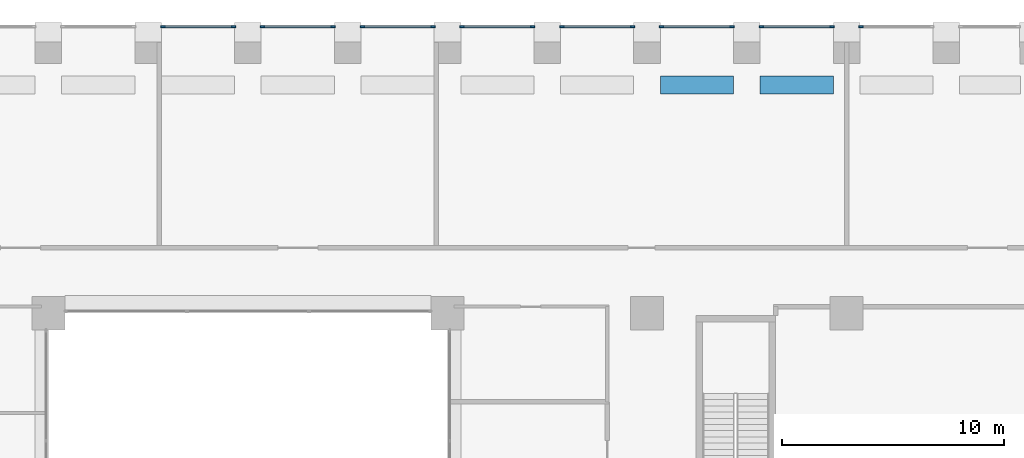
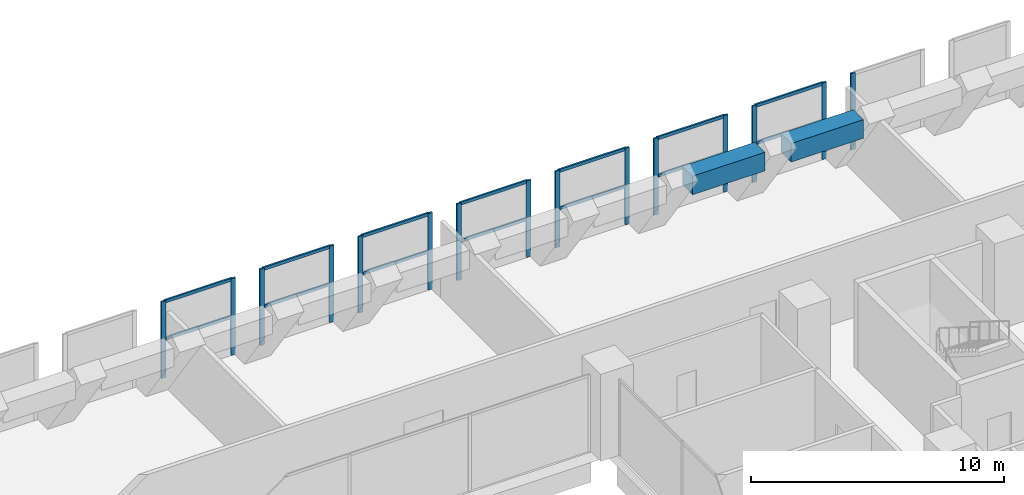
# One storey, part 9 of 20: 29 members, 2 beams, 8 elements without a shape of their own.
"""IFC4 building model written with IfcOpenShell, lengths in metres."""

import ifcopenshell
import ifcopenshell.guid

model = None  # the IFC model being written
_history = None  # IfcOwnerHistory: only IFC2X3 demands one
_inside = {}  # id of a spatial element -> (the spatial element, [elements in it])
_under = {}  # id of a project, library or spatial element -> (it, [spatial elements below it])
_declared = {}  # id of a project -> (the project, [libraries it declares])
_typed = {}  # id of a type object -> (the type object, [elements of that type])
_made_of = {}  # id of a material, layer set ... -> (it, [elements and type objects made of it])


def new_model(schema):
    """Start an empty IFC model of exactly this schema.

    Asked for "IFC4X3", IfcOpenShell would pick the latest addendum, in which some entities
    have other attributes; the version numbers below select the first issue.
    IFC2X3 requires an IfcOwnerHistory on every rooted entity: one is made here for all.
    """
    global model, _history
    if schema == "IFC4X3":
        model = ifcopenshell.file(schema_version=(4, 3, 0, 0))
    else:
        model = ifcopenshell.file(schema=schema)
    _inside.clear()
    _under.clear()
    _declared.clear()
    _typed.clear()
    _made_of.clear()
    _history = None
    if model.schema == "IFC2X3":
        org = make("IfcOrganization", Name="unknown")
        user = make(
            "IfcPersonAndOrganization",
            ThePerson=make("IfcPerson", FamilyName="unknown"),
            TheOrganization=org,
        )
        app = make(
            "IfcApplication",
            ApplicationDeveloper=org,
            Version="unknown",
            ApplicationFullName="unknown",
            ApplicationIdentifier="unknown",
        )
        _history = make(
            "IfcOwnerHistory",
            OwningUser=user,
            OwningApplication=app,
            ChangeAction="ADDED",
            CreationDate=0,
        )
    return model


def make(cls, **values):
    """One entity of the class cls with the attributes given. An attribute that is None is left unset."""
    return model.create_entity(
        cls, **{name: value for name, value in values.items() if value is not None}
    )


def rooted(cls, **values):
    """An entity with a GlobalId (a new one), such as an element, a storey or a relation."""
    return make(cls, GlobalId=ifcopenshell.guid.new(), OwnerHistory=_history, **values)


def si_unit(unit_type, name, prefix=None):
    """IfcSIUnit, for example si_unit("LENGTHUNIT", "METRE", prefix="MILLI")."""
    return make("IfcSIUnit", UnitType=unit_type, Prefix=prefix, Name=name)


def assignment(units):
    """IfcUnitAssignment: the units of a project."""
    return None if units is None else make("IfcUnitAssignment", Units=units)


def point(xyz):
    """IfcCartesianPoint."""
    return None if xyz is None else make("IfcCartesianPoint", Coordinates=xyz)


def direction(xyz):
    """IfcDirection."""
    return None if xyz is None else make("IfcDirection", DirectionRatios=xyz)


def frame(location, z_axis=None, x_axis=None):
    """IfcAxis2Placement3D, a coordinate frame: its origin and axes. An axis left out is left unset."""
    return make(
        "IfcAxis2Placement3D",
        Location=point(location),
        Axis=direction(z_axis),
        RefDirection=direction(x_axis),
    )


def frame_2d(location, x_axis=None):
    """IfcAxis2Placement2D, a coordinate frame in the plane: its origin and x axis."""
    return make(
        "IfcAxis2Placement2D", Location=point(location), RefDirection=direction(x_axis)
    )


def origin():
    """The frame at (0, 0, 0) with its axes left unset."""
    return frame((0.0, 0.0, 0.0))


def origin_2d():
    """The frame at (0, 0) in the plane with its x axis left unset."""
    return frame_2d((0.0, 0.0))


def place(relative_to, where):
    """IfcLocalPlacement: puts the frame where relative to a parent placement (None: the world)."""
    return make(
        "IfcLocalPlacement", PlacementRelTo=relative_to, RelativePlacement=where
    )


def context(
    kind, dimensions, precision=None, world=None, true_north=None, identifier=None
):
    """IfcGeometricRepresentationContext, for example the 3D "Model" context."""
    return make(
        "IfcGeometricRepresentationContext",
        ContextIdentifier=identifier,
        ContextType=kind,
        CoordinateSpaceDimension=dimensions,
        Precision=precision,
        WorldCoordinateSystem=world,
        TrueNorth=true_north,
    )


def subcontext(parent, identifier, kind, view, scale=None):
    """IfcGeometricRepresentationSubContext, for example "Body" below "Model"."""
    return make(
        "IfcGeometricRepresentationSubContext",
        ContextIdentifier=identifier,
        ContextType=kind,
        ParentContext=parent,
        TargetScale=scale,
        TargetView=view,
    )


def project(units=None, contexts=None):
    """IfcProject with its units and contexts."""
    return rooted(
        "IfcProject",
        Name="project",
        RepresentationContexts=contexts,
        UnitsInContext=assignment(units),
    )


def spatial(cls, under=None, at=None, **own):
    """A site, building, storey or space (cls), placed at a placement, below another one or the project."""
    s = rooted(cls, ObjectPlacement=at, **own)
    if under is not None:
        _under.setdefault(under.id(), (under, []))[1].append(s)
    return s


def profile(cls, at=None, kind="AREA", **sizes):
    """A parametric profile (cls). Its sizes go by their IFC names, for example OverallWidth=200.0."""
    return make(cls, ProfileType=kind, Position=at, **sizes)


def rectangle(**sizes):
    """IfcRectangleProfileDef."""
    return profile("IfcRectangleProfileDef", **sizes)


def extrude(swept, where, along, depth):
    """IfcExtrudedAreaSolid: the profile swept, set in the frame where, extruded along a direction by depth."""
    return make(
        "IfcExtrudedAreaSolid",
        SweptArea=swept,
        Position=where,
        ExtrudedDirection=direction(along),
        Depth=depth,
    )


def shape(context_of_items, identifier, shape_type, items):
    """IfcShapeRepresentation: the items that make up one representation, for example the "Body"."""
    return make(
        "IfcShapeRepresentation",
        ContextOfItems=context_of_items,
        RepresentationIdentifier=identifier,
        RepresentationType=shape_type,
        Items=items,
    )


def material(Name=None, Category=None):
    """IfcMaterial."""
    return make("IfcMaterial", Name=Name, Category=Category)


def layer(
    of_material, thickness, ventilated=None, Name=None, Category=None, Priority=None
):
    """IfcMaterialLayer: one layer of a wall or slab, of a material (None: an air gap)."""
    return make(
        "IfcMaterialLayer",
        Material=of_material,
        LayerThickness=thickness,
        IsVentilated=ventilated,
        Name=Name,
        Category=Category,
        Priority=Priority,
    )


def layer_set(layers, Name=None):
    """IfcMaterialLayerSet."""
    return make("IfcMaterialLayerSet", MaterialLayers=layers, LayerSetName=Name)


def material_profile(
    of_material, cross_section, Name=None, Category=None, Priority=None
):
    """IfcMaterialProfile: a cross section and its material."""
    return make(
        "IfcMaterialProfile",
        Name=Name,
        Material=of_material,
        Profile=cross_section,
        Priority=Priority,
        Category=Category,
    )


def profile_set(profiles, Name=None, composite=None):
    """IfcMaterialProfileSet."""
    return make(
        "IfcMaterialProfileSet",
        Name=Name,
        MaterialProfiles=profiles,
        CompositeProfile=composite,
    )


def made_of(thing, what):
    """Note that an element or type object is made of a material, layer set ...; save() writes the relation."""
    if what is not None:
        _made_of.setdefault(what.id(), (what, []))[1].append(thing)
    return thing


def type_object(cls, material=None, **own):
    """A type object (cls), such as IfcWallType, which elements share."""
    return made_of(rooted(cls, **own), material)


def element(
    cls,
    number,
    at=None,
    inside=None,
    cuts=None,
    type_object=None,
    material=None,
    context=None,
    identifier="Body",
    shape_type=None,
    held_by="IfcProductDefinitionShape",
    body=None,
    shapes=None,
    **own,
):
    """One element of the class cls, such as IfcWall. Its Tag is "e" and its number.

    at: its placement. inside: the storey or other place that contains it. cuts: it is an
    opening in that element (IfcRelVoidsElement). A single representation is given by context,
    identifier, shape_type and body (its items); several are given by shapes. held_by: the class
    of the entity that holds the representations. save() writes the other relations.
    """
    e = rooted(cls, Tag="e%d" % number, ObjectPlacement=at, **own)
    if body is not None:
        shapes = [shape(context, identifier, shape_type, body)]
    if shapes is not None:
        e.Representation = make(held_by, Representations=shapes)
    if inside is not None:
        _inside.setdefault(inside.id(), (inside, []))[1].append(e)
    if cuts is not None:
        rooted(
            "IfcRelVoidsElement", RelatingBuildingElement=cuts, RelatedOpeningElement=e
        )
    if type_object is not None:
        _typed.setdefault(type_object.id(), (type_object, []))[1].append(e)
    return made_of(e, material)


def aggregate(whole, parts):
    """IfcRelAggregates: a whole, such as a stair, and the parts it consists of."""
    return rooted("IfcRelAggregates", RelatingObject=whole, RelatedObjects=parts)


def save(model, path):
    """Write the relations noted so far, then the file.

    IfcRelAggregates (storeys below a building ...), IfcRelContainedInSpatialStructure (elements
    in a storey), IfcRelDefinesByType, IfcRelAssociatesMaterial and IfcRelDeclares: one each for
    every whole, place, type object, material and project.
    """
    for whole, parts in _under.values():
        aggregate(whole, parts)
    for where, things in _inside.values():
        rooted(
            "IfcRelContainedInSpatialStructure",
            RelatedElements=things,
            RelatingStructure=where,
        )
    for kind, things in _typed.values():
        rooted("IfcRelDefinesByType", RelatedObjects=things, RelatingType=kind)
    for what, things in _made_of.values():
        rooted("IfcRelAssociatesMaterial", RelatedObjects=things, RelatingMaterial=what)
    for by, libraries in _declared.values():
        rooted("IfcRelDeclares", RelatingContext=by, RelatedDefinitions=libraries)
    model.write(path)


model = new_model("IFC4")

# Units and contexts
model_context = context("Model", 3, precision=1e-05, world=origin(), true_north=direction((0.0, 1.0)))
body_context = subcontext(model_context, "Body", "Model", "MODEL_VIEW")
ifc_project = project(units=[si_unit("LENGTHUNIT", "METRE"), si_unit("AREAUNIT", "SQUARE_METRE"), si_unit("VOLUMEUNIT", "CUBIC_METRE"), si_unit("PLANEANGLEUNIT", "RADIAN"), si_unit("MASSUNIT", "GRAM", prefix="KILO")], contexts=[model_context])

# Site, building, storey
site_placement = place(None, origin())
site = spatial("IfcSite", under=ifc_project, at=site_placement, CompositionType="ELEMENT")
building_placement = place(site_placement, origin())
building = spatial("IfcBuilding", under=site, at=building_placement, Name="Brigalow Station Residences", CompositionType="ELEMENT")
storey_placement = place(building_placement, frame((0.0, 0.0, 73.050048828125)))
storey = spatial("IfcBuildingStorey", under=building, at=storey_placement, Name="L21", CompositionType="ELEMENT", Elevation=73.050048828125)

# Beams
ifc_material_1 = material(Name="Concrete C65", Category="concrete")
ifc_material_profile_1 = material_profile(ifc_material_1, rectangle(XDim=0.800048828125, YDim=0.89990234375, at=origin_2d()), Name="RC800x900")
ifc_profile_set_1 = profile_set([ifc_material_profile_1], Name="Concrete C65")
beam_type = type_object("IfcBeamType", Name="KINK TIE BEAM 800x900 C65", PredefinedType="BEAM", material=ifc_profile_set_1)
for number, where, z_axis, x_axis, name in (
    (1, (62.39990234375, 45.7978515625, 3.25), (-1.0, 0.0, 0.0), (0.0, -1.0, 0.0), "KINK TIE BEAM 22 L21"),
    (2, (57.89990234375, 45.7978515625, 3.25), (-1.0, 0.0, 0.0), (0.0, -1.0, 0.0), "KINK TIE BEAM 23 L21"),
):
    element("IfcBeam", number, at=place(storey_placement, frame(where, z_axis=z_axis, x_axis=x_axis)), inside=storey, type_object=beam_type, Name=name, PredefinedType="BEAM", context=body_context, shape_type="SweptSolid", body=[
        extrude(rectangle(XDim=0.800048828125, YDim=0.89990234375, at=origin_2d()), origin(), (0.0, 0.0, 1.0), 3.2998046875),
    ])

# Curtain wall, member
ifc_material_2 = material(Name="Aluminium", Category="aluminium")
ifc_layer = layer(ifc_material_2, 0.199951171875)
ifc_layer_set = layer_set([ifc_layer], Name="REFUGE FLOOR LOUVRE CURTAIN WALL")
curtain_wall_type = type_object("IfcCurtainWallType", Name="REFUGE FLOOR LOUVRE CURTAIN WALL", PredefinedType="NOTDEFINED", material=ifc_layer_set)
curtain_wall_1_placement = place(storey_placement, origin())
curtain_wall_1 = element("IfcCurtainWall", 3, at=curtain_wall_1_placement, inside=storey, type_object=curtain_wall_type, Name="L21/cw/louvre-W-L21-25-24", PredefinedType="NOTDEFINED")
ifc_material_3 = material(Name="Aluminium", Category="aluminium")
ifc_material_profile_2 = material_profile(ifc_material_3, rectangle(XDim=0.080078125, YDim=0.199951171875, at=origin_2d()), Name="REFUGE FLOOR LOUVRE MULLION 80x200")
ifc_profile_set_2 = profile_set([ifc_material_profile_2], Name="Aluminium")
member_type_1 = type_object("IfcMemberType", Name="REFUGE FLOOR LOUVRE MULLION 80x200", PredefinedType="MULLION", material=ifc_profile_set_2)
member_1_placement = place(storey_placement, frame((63.659912109375, 48.425048828125, 0.0), z_axis=(0.0, 0.0, 1.0), x_axis=(0.0, -1.0, 0.0)))
member_1 = element("IfcMember", 4, at=member_1_placement, type_object=member_type_1, Name="L21/cw/louvre-W-L21-25-24/M01", PredefinedType="MULLION", context=body_context, shape_type="SweptSolid", body=[
    extrude(rectangle(XDim=0.080078125, YDim=0.199951171875, at=origin_2d()), origin(), (0.0, 0.0, 1.0), 3.699951171875),
])
aggregate(curtain_wall_1, [member_1])

# Curtain wall, members
curtain_wall_2_placement = place(storey_placement, origin())
curtain_wall_2 = element("IfcCurtainWall", 5, at=curtain_wall_2_placement, inside=storey, type_object=curtain_wall_type, Name="L21/cw/louvre-W-L21-25-25", PredefinedType="NOTDEFINED")
member_2_placement = place(storey_placement, frame((62.340087890625, 48.425048828125, 0.0), z_axis=(0.0, 0.0, 1.0), x_axis=(0.0, -1.0, 0.0)))
member_2 = element("IfcMember", 6, at=member_2_placement, type_object=member_type_1, Name="L21/cw/louvre-W-L21-25-25/M00", PredefinedType="MULLION", context=body_context, shape_type="SweptSolid", body=[
    extrude(rectangle(XDim=0.080078125, YDim=0.199951171875, at=origin_2d()), origin(), (0.0, 0.0, 1.0), 3.699951171875),
])
member_3_placement = place(storey_placement, frame((59.159912109375, 48.425048828125, 0.0), z_axis=(0.0, 0.0, 1.0), x_axis=(0.0, -1.0, 0.0)))
member_3 = element("IfcMember", 7, at=member_3_placement, type_object=member_type_1, Name="L21/cw/louvre-W-L21-25-25/M01", PredefinedType="MULLION", context=body_context, shape_type="SweptSolid", body=[
    extrude(rectangle(XDim=0.080078125, YDim=0.199951171875, at=origin_2d()), origin(), (0.0, 0.0, 1.0), 3.699951171875),
])

curtain_wall_3_placement = place(storey_placement, origin())
curtain_wall_3 = element("IfcCurtainWall", 8, at=curtain_wall_3_placement, inside=storey, type_object=curtain_wall_type, Name="L21/cw/louvre-W-L21-25-26", PredefinedType="NOTDEFINED")
member_4_placement = place(storey_placement, frame((57.840087890625, 48.425048828125, 0.0), z_axis=(0.0, 0.0, 1.0), x_axis=(0.0, -1.0, 0.0)))
member_4 = element("IfcMember", 9, at=member_4_placement, type_object=member_type_1, Name="L21/cw/louvre-W-L21-25-26/M00", PredefinedType="MULLION", context=body_context, shape_type="SweptSolid", body=[
    extrude(rectangle(XDim=0.080078125, YDim=0.199951171875, at=origin_2d()), origin(), (0.0, 0.0, 1.0), 3.699951171875),
])
member_5_placement = place(storey_placement, frame((54.659912109375, 48.425048828125, 0.0), z_axis=(0.0, 0.0, 1.0), x_axis=(0.0, -1.0, 0.0)))
member_5 = element("IfcMember", 10, at=member_5_placement, type_object=member_type_1, Name="L21/cw/louvre-W-L21-25-26/M01", PredefinedType="MULLION", context=body_context, shape_type="SweptSolid", body=[
    extrude(rectangle(XDim=0.080078125, YDim=0.199951171875, at=origin_2d()), origin(), (0.0, 0.0, 1.0), 3.699951171875),
])

curtain_wall_4_placement = place(storey_placement, origin())
curtain_wall_4 = element("IfcCurtainWall", 11, at=curtain_wall_4_placement, inside=storey, type_object=curtain_wall_type, Name="L21/cw/louvre-W-L21-25-27", PredefinedType="NOTDEFINED")
member_6_placement = place(storey_placement, frame((53.340087890625, 48.425048828125, 0.0), z_axis=(0.0, 0.0, 1.0), x_axis=(0.0, -1.0, 0.0)))
member_6 = element("IfcMember", 12, at=member_6_placement, type_object=member_type_1, Name="L21/cw/louvre-W-L21-25-27/M00", PredefinedType="MULLION", context=body_context, shape_type="SweptSolid", body=[
    extrude(rectangle(XDim=0.080078125, YDim=0.199951171875, at=origin_2d()), origin(), (0.0, 0.0, 1.0), 3.699951171875),
])
member_7_placement = place(storey_placement, frame((50.159912109375, 48.425048828125, 0.0), z_axis=(0.0, 0.0, 1.0), x_axis=(0.0, -1.0, 0.0)))
member_7 = element("IfcMember", 13, at=member_7_placement, type_object=member_type_1, Name="L21/cw/louvre-W-L21-25-27/M01", PredefinedType="MULLION", context=body_context, shape_type="SweptSolid", body=[
    extrude(rectangle(XDim=0.080078125, YDim=0.199951171875, at=origin_2d()), origin(), (0.0, 0.0, 1.0), 3.699951171875),
])

curtain_wall_5_placement = place(storey_placement, origin())
curtain_wall_5 = element("IfcCurtainWall", 14, at=curtain_wall_5_placement, inside=storey, type_object=curtain_wall_type, Name="L21/cw/louvre-W-L21-25-28", PredefinedType="NOTDEFINED")
member_8_placement = place(storey_placement, frame((48.840087890625, 48.425048828125, 0.0), z_axis=(0.0, 0.0, 1.0), x_axis=(0.0, -1.0, 0.0)))
member_8 = element("IfcMember", 15, at=member_8_placement, type_object=member_type_1, Name="L21/cw/louvre-W-L21-25-28/M00", PredefinedType="MULLION", context=body_context, shape_type="SweptSolid", body=[
    extrude(rectangle(XDim=0.080078125, YDim=0.199951171875, at=origin_2d()), origin(), (0.0, 0.0, 1.0), 3.699951171875),
])
member_9_placement = place(storey_placement, frame((45.659912109375, 48.425048828125, 0.0), z_axis=(0.0, 0.0, 1.0), x_axis=(0.0, -1.0, 0.0)))
member_9 = element("IfcMember", 16, at=member_9_placement, type_object=member_type_1, Name="L21/cw/louvre-W-L21-25-28/M01", PredefinedType="MULLION", context=body_context, shape_type="SweptSolid", body=[
    extrude(rectangle(XDim=0.080078125, YDim=0.199951171875, at=origin_2d()), origin(), (0.0, 0.0, 1.0), 3.699951171875),
])

curtain_wall_6_placement = place(storey_placement, origin())
curtain_wall_6 = element("IfcCurtainWall", 17, at=curtain_wall_6_placement, inside=storey, type_object=curtain_wall_type, Name="L21/cw/louvre-W-L21-25-29", PredefinedType="NOTDEFINED")
member_10_placement = place(storey_placement, frame((44.340087890625, 48.425048828125, 0.0), z_axis=(0.0, 0.0, 1.0), x_axis=(0.0, -1.0, 0.0)))
member_10 = element("IfcMember", 18, at=member_10_placement, type_object=member_type_1, Name="L21/cw/louvre-W-L21-25-29/M00", PredefinedType="MULLION", context=body_context, shape_type="SweptSolid", body=[
    extrude(rectangle(XDim=0.080078125, YDim=0.199951171875, at=origin_2d()), origin(), (0.0, 0.0, 1.0), 3.699951171875),
])
member_11_placement = place(storey_placement, frame((41.159912109375, 48.425048828125, 0.0), z_axis=(0.0, 0.0, 1.0), x_axis=(0.0, -1.0, 0.0)))
member_11 = element("IfcMember", 19, at=member_11_placement, type_object=member_type_1, Name="L21/cw/louvre-W-L21-25-29/M01", PredefinedType="MULLION", context=body_context, shape_type="SweptSolid", body=[
    extrude(rectangle(XDim=0.080078125, YDim=0.199951171875, at=origin_2d()), origin(), (0.0, 0.0, 1.0), 3.699951171875),
])

curtain_wall_7_placement = place(storey_placement, origin())
curtain_wall_7 = element("IfcCurtainWall", 20, at=curtain_wall_7_placement, inside=storey, type_object=curtain_wall_type, Name="L21/cw/louvre-W-L21-25-30", PredefinedType="NOTDEFINED")
member_12_placement = place(storey_placement, frame((39.840087890625, 48.425048828125, 0.0), z_axis=(0.0, 0.0, 1.0), x_axis=(0.0, -1.0, 0.0)))
member_12 = element("IfcMember", 21, at=member_12_placement, type_object=member_type_1, Name="L21/cw/louvre-W-L21-25-30/M00", PredefinedType="MULLION", context=body_context, shape_type="SweptSolid", body=[
    extrude(rectangle(XDim=0.080078125, YDim=0.199951171875, at=origin_2d()), origin(), (0.0, 0.0, 1.0), 3.699951171875),
])
member_13_placement = place(storey_placement, frame((36.659912109375, 48.425048828125, 0.0), z_axis=(0.0, 0.0, 1.0), x_axis=(0.0, -1.0, 0.0)))
member_13 = element("IfcMember", 22, at=member_13_placement, type_object=member_type_1, Name="L21/cw/louvre-W-L21-25-30/M01", PredefinedType="MULLION", context=body_context, shape_type="SweptSolid", body=[
    extrude(rectangle(XDim=0.080078125, YDim=0.199951171875, at=origin_2d()), origin(), (0.0, 0.0, 1.0), 3.699951171875),
])

curtain_wall_8_placement = place(storey_placement, origin())
curtain_wall_8 = element("IfcCurtainWall", 23, at=curtain_wall_8_placement, inside=storey, type_object=curtain_wall_type, Name="L21/cw/louvre-W-L21-25-31", PredefinedType="NOTDEFINED")
member_14_placement = place(storey_placement, frame((35.340087890625, 48.425048828125, 0.0), z_axis=(0.0, 0.0, 1.0), x_axis=(0.0, -1.0, 0.0)))
member_14 = element("IfcMember", 24, at=member_14_placement, type_object=member_type_1, Name="L21/cw/louvre-W-L21-25-31/M00", PredefinedType="MULLION", context=body_context, shape_type="SweptSolid", body=[
    extrude(rectangle(XDim=0.080078125, YDim=0.199951171875, at=origin_2d()), origin(), (0.0, 0.0, 1.0), 3.699951171875),
])
member_15_placement = place(storey_placement, frame((32.159912109375, 48.425048828125, 0.0), z_axis=(0.0, 0.0, 1.0), x_axis=(0.0, -1.0, 0.0)))
member_15 = element("IfcMember", 25, at=member_15_placement, type_object=member_type_1, Name="L21/cw/louvre-W-L21-25-31/M01", PredefinedType="MULLION", context=body_context, shape_type="SweptSolid", body=[
    extrude(rectangle(XDim=0.080078125, YDim=0.199951171875, at=origin_2d()), origin(), (0.0, 0.0, 1.0), 3.699951171875),
])

# Member
ifc_material_4 = material(Name="Aluminium", Category="aluminium")
ifc_material_profile_3 = material_profile(ifc_material_4, rectangle(XDim=0.080078125, YDim=0.14990234375, at=origin_2d()), Name="REFUGE FLOOR LOUVRE TRANSOM 80x150")
ifc_profile_set_3 = profile_set([ifc_material_profile_3], Name="Aluminium")
member_type_2 = type_object("IfcMemberType", Name="REFUGE FLOOR LOUVRE TRANSOM 80x150", PredefinedType="USERDEFINED", material=ifc_profile_set_3)
member_16_placement = place(storey_placement, frame((62.300048828125, 48.425048828125, 1.849853515625), z_axis=(-1.0, 0.0, 0.0), x_axis=(0.0, -1.0, 0.0)))
member_16 = element("IfcMember", 26, at=member_16_placement, type_object=member_type_2, Name="L21/cw/louvre-W-L21-25-25/T00-00", ObjectType="TRANSOM", PredefinedType="USERDEFINED", context=body_context, shape_type="SweptSolid", body=[
    extrude(rectangle(XDim=0.080078125, YDim=0.14990234375, at=origin_2d()), origin(), (0.0, 0.0, 1.0), 3.10009765625),
])

member_17_placement = place(storey_placement, frame((62.300048828125, 48.425048828125, 3.659912109375), z_axis=(-1.0, 0.0, 0.0), x_axis=(0.0, -1.0, 0.0)))
member_17 = element("IfcMember", 27, at=member_17_placement, type_object=member_type_2, Name="L21/cw/louvre-W-L21-25-25/T00-01", ObjectType="TRANSOM", PredefinedType="USERDEFINED", context=body_context, shape_type="SweptSolid", body=[
    extrude(rectangle(XDim=0.080078125, YDim=0.14990234375, at=origin_2d()), origin(), (0.0, 0.0, 1.0), 3.10009765625),
])

aggregate(curtain_wall_2, [member_2, member_3, member_16, member_17])

member_18_placement = place(storey_placement, frame((57.800048828125, 48.425048828125, 1.849853515625), z_axis=(-1.0, 0.0, 0.0), x_axis=(0.0, -1.0, 0.0)))
member_18 = element("IfcMember", 28, at=member_18_placement, type_object=member_type_2, Name="L21/cw/louvre-W-L21-25-26/T00-00", ObjectType="TRANSOM", PredefinedType="USERDEFINED", context=body_context, shape_type="SweptSolid", body=[
    extrude(rectangle(XDim=0.080078125, YDim=0.14990234375, at=origin_2d()), origin(), (0.0, 0.0, 1.0), 3.10009765625),
])

member_19_placement = place(storey_placement, frame((57.800048828125, 48.425048828125, 3.659912109375), z_axis=(-1.0, 0.0, 0.0), x_axis=(0.0, -1.0, 0.0)))
member_19 = element("IfcMember", 29, at=member_19_placement, type_object=member_type_2, Name="L21/cw/louvre-W-L21-25-26/T00-01", ObjectType="TRANSOM", PredefinedType="USERDEFINED", context=body_context, shape_type="SweptSolid", body=[
    extrude(rectangle(XDim=0.080078125, YDim=0.14990234375, at=origin_2d()), origin(), (0.0, 0.0, 1.0), 3.10009765625),
])

aggregate(curtain_wall_3, [member_4, member_5, member_18, member_19])

member_20_placement = place(storey_placement, frame((53.300048828125, 48.425048828125, 1.849853515625), z_axis=(-1.0, 0.0, 0.0), x_axis=(0.0, -1.0, 0.0)))
member_20 = element("IfcMember", 30, at=member_20_placement, type_object=member_type_2, Name="L21/cw/louvre-W-L21-25-27/T00-00", ObjectType="TRANSOM", PredefinedType="USERDEFINED", context=body_context, shape_type="SweptSolid", body=[
    extrude(rectangle(XDim=0.080078125, YDim=0.14990234375, at=origin_2d()), origin(), (0.0, 0.0, 1.0), 3.10009765625),
])

member_21_placement = place(storey_placement, frame((53.300048828125, 48.425048828125, 3.659912109375), z_axis=(-1.0, 0.0, 0.0), x_axis=(0.0, -1.0, 0.0)))
member_21 = element("IfcMember", 31, at=member_21_placement, type_object=member_type_2, Name="L21/cw/louvre-W-L21-25-27/T00-01", ObjectType="TRANSOM", PredefinedType="USERDEFINED", context=body_context, shape_type="SweptSolid", body=[
    extrude(rectangle(XDim=0.080078125, YDim=0.14990234375, at=origin_2d()), origin(), (0.0, 0.0, 1.0), 3.10009765625),
])

aggregate(curtain_wall_4, [member_6, member_7, member_20, member_21])

member_22_placement = place(storey_placement, frame((48.800048828125, 48.425048828125, 1.849853515625), z_axis=(-1.0, 0.0, 0.0), x_axis=(0.0, -1.0, 0.0)))
member_22 = element("IfcMember", 32, at=member_22_placement, type_object=member_type_2, Name="L21/cw/louvre-W-L21-25-28/T00-00", ObjectType="TRANSOM", PredefinedType="USERDEFINED", context=body_context, shape_type="SweptSolid", body=[
    extrude(rectangle(XDim=0.080078125, YDim=0.14990234375, at=origin_2d()), origin(), (0.0, 0.0, 1.0), 3.10009765625),
])

member_23_placement = place(storey_placement, frame((48.800048828125, 48.425048828125, 3.659912109375), z_axis=(-1.0, 0.0, 0.0), x_axis=(0.0, -1.0, 0.0)))
member_23 = element("IfcMember", 33, at=member_23_placement, type_object=member_type_2, Name="L21/cw/louvre-W-L21-25-28/T00-01", ObjectType="TRANSOM", PredefinedType="USERDEFINED", context=body_context, shape_type="SweptSolid", body=[
    extrude(rectangle(XDim=0.080078125, YDim=0.14990234375, at=origin_2d()), origin(), (0.0, 0.0, 1.0), 3.10009765625),
])

aggregate(curtain_wall_5, [member_8, member_9, member_22, member_23])

member_24_placement = place(storey_placement, frame((44.300048828125, 48.425048828125, 1.849853515625), z_axis=(-1.0, 0.0, 0.0), x_axis=(0.0, -1.0, 0.0)))
member_24 = element("IfcMember", 34, at=member_24_placement, type_object=member_type_2, Name="L21/cw/louvre-W-L21-25-29/T00-00", ObjectType="TRANSOM", PredefinedType="USERDEFINED", context=body_context, shape_type="SweptSolid", body=[
    extrude(rectangle(XDim=0.080078125, YDim=0.14990234375, at=origin_2d()), origin(), (0.0, 0.0, 1.0), 3.10009765625),
])

member_25_placement = place(storey_placement, frame((44.300048828125, 48.425048828125, 3.659912109375), z_axis=(-1.0, 0.0, 0.0), x_axis=(0.0, -1.0, 0.0)))
member_25 = element("IfcMember", 35, at=member_25_placement, type_object=member_type_2, Name="L21/cw/louvre-W-L21-25-29/T00-01", ObjectType="TRANSOM", PredefinedType="USERDEFINED", context=body_context, shape_type="SweptSolid", body=[
    extrude(rectangle(XDim=0.080078125, YDim=0.14990234375, at=origin_2d()), origin(), (0.0, 0.0, 1.0), 3.10009765625),
])

aggregate(curtain_wall_6, [member_10, member_11, member_24, member_25])

member_26_placement = place(storey_placement, frame((39.800048828125, 48.425048828125, 1.849853515625), z_axis=(-1.0, 0.0, 0.0), x_axis=(0.0, -1.0, 0.0)))
member_26 = element("IfcMember", 36, at=member_26_placement, type_object=member_type_2, Name="L21/cw/louvre-W-L21-25-30/T00-00", ObjectType="TRANSOM", PredefinedType="USERDEFINED", context=body_context, shape_type="SweptSolid", body=[
    extrude(rectangle(XDim=0.080078125, YDim=0.14990234375, at=origin_2d()), origin(), (0.0, 0.0, 1.0), 3.10009765625),
])

member_27_placement = place(storey_placement, frame((39.800048828125, 48.425048828125, 3.659912109375), z_axis=(-1.0, 0.0, 0.0), x_axis=(0.0, -1.0, 0.0)))
member_27 = element("IfcMember", 37, at=member_27_placement, type_object=member_type_2, Name="L21/cw/louvre-W-L21-25-30/T00-01", ObjectType="TRANSOM", PredefinedType="USERDEFINED", context=body_context, shape_type="SweptSolid", body=[
    extrude(rectangle(XDim=0.080078125, YDim=0.14990234375, at=origin_2d()), origin(), (0.0, 0.0, 1.0), 3.10009765625),
])

aggregate(curtain_wall_7, [member_12, member_13, member_26, member_27])

member_28_placement = place(storey_placement, frame((35.300048828125, 48.425048828125, 1.849853515625), z_axis=(-1.0, 0.0, 0.0), x_axis=(0.0, -1.0, 0.0)))
member_28 = element("IfcMember", 38, at=member_28_placement, type_object=member_type_2, Name="L21/cw/louvre-W-L21-25-31/T00-00", ObjectType="TRANSOM", PredefinedType="USERDEFINED", context=body_context, shape_type="SweptSolid", body=[
    extrude(rectangle(XDim=0.080078125, YDim=0.14990234375, at=origin_2d()), origin(), (0.0, 0.0, 1.0), 3.10009765625),
])

member_29_placement = place(storey_placement, frame((35.300048828125, 48.425048828125, 3.659912109375), z_axis=(-1.0, 0.0, 0.0), x_axis=(0.0, -1.0, 0.0)))
member_29 = element("IfcMember", 39, at=member_29_placement, type_object=member_type_2, Name="L21/cw/louvre-W-L21-25-31/T00-01", ObjectType="TRANSOM", PredefinedType="USERDEFINED", context=body_context, shape_type="SweptSolid", body=[
    extrude(rectangle(XDim=0.080078125, YDim=0.14990234375, at=origin_2d()), origin(), (0.0, 0.0, 1.0), 3.10009765625),
])

aggregate(curtain_wall_8, [member_14, member_15, member_28, member_29])

save(model, "model.ifc")
